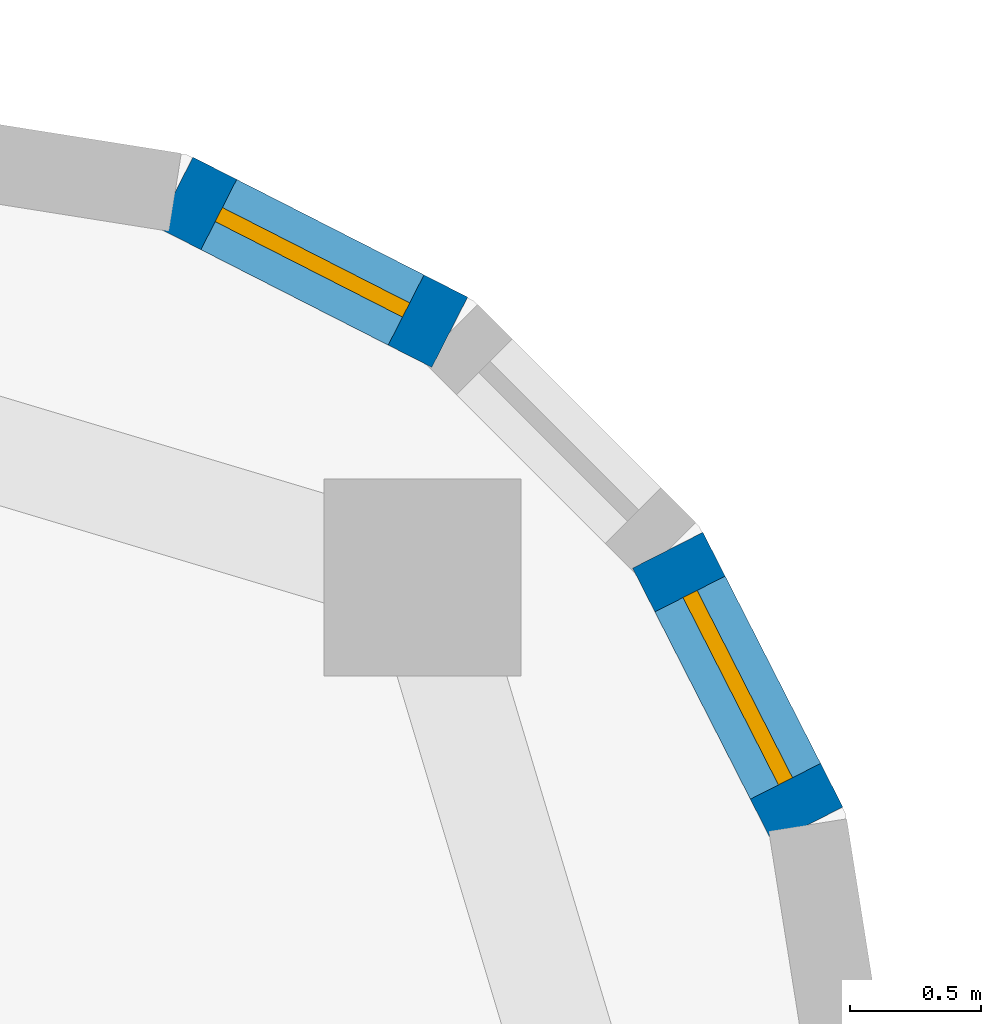
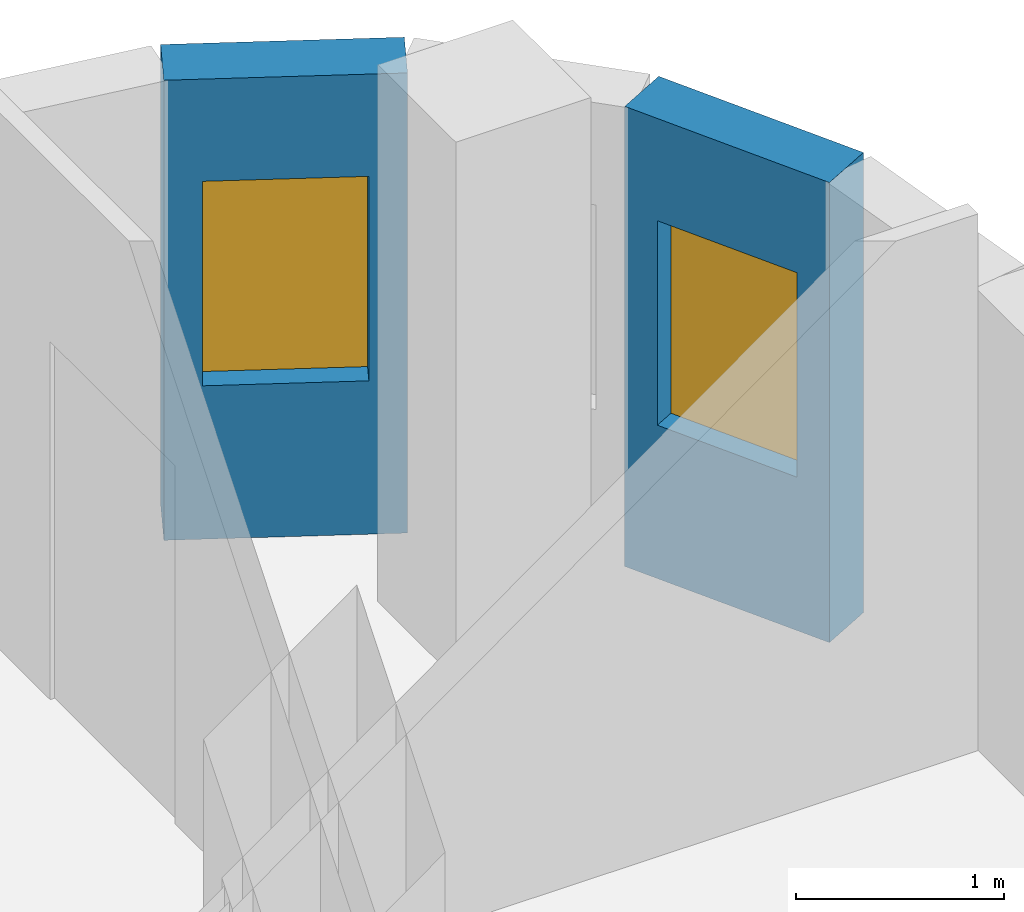
# One storey, part 9 of 13: 2 walls, 2 windows, 2 openings.
"""IFC4 building model written with IfcOpenShell, lengths in metres."""

from ifc_helpers import new_model, si_unit, direction, frame, frame_2d, origin, place, context, subcontext, project, spatial, rectangle, extrude, material, layer, layer_set, type_object, element, fill, save


model = new_model("IFC4")

# Units and contexts
model_context = context("Model", 3, precision=1e-05, world=origin(), true_north=direction((0.0, 1.0)))
body_context = subcontext(model_context, "Body", "Model", "MODEL_VIEW")
ifc_project = project(units=[si_unit("LENGTHUNIT", "METRE"), si_unit("AREAUNIT", "SQUARE_METRE"), si_unit("VOLUMEUNIT", "CUBIC_METRE"), si_unit("PLANEANGLEUNIT", "RADIAN"), si_unit("MASSUNIT", "GRAM", prefix="KILO")], contexts=[model_context])

# Site, building, storey
site_placement = place(None, origin())
site = spatial("IfcSite", under=ifc_project, at=site_placement, CompositionType="ELEMENT")
building_placement = place(site_placement, origin())
building = spatial("IfcBuilding", under=site, at=building_placement, Name="Ludao Terraces", CompositionType="ELEMENT")
storey_placement = place(building_placement, frame((0.0, 0.0, 158.800048828125)))
storey = spatial("IfcBuildingStorey", under=building, at=storey_placement, Name="L43", CompositionType="ELEMENT", Elevation=158.800048828125)

# Wall, opening, window
ifc_material_1 = material(Name="Granite cladding", Category="masonry")
ifc_layer_1 = layer(ifc_material_1, 0.0400390625, Category="stone")
ifc_material_2 = material(Name="Mineral wool")
ifc_layer_2 = layer(ifc_material_2, 0.06005859375)
ifc_material_3 = material(Name="Concrete C40", Category="concrete")
ifc_layer_3 = layer(ifc_material_3, 0.199951171875, Category="concrete")
ifc_layer_set_1 = layer_set([ifc_layer_1, ifc_layer_2, ifc_layer_3], Name="ENV Stone-clad wall 300")
wall_type = type_object("IfcWallType", Name="ENV Stone-clad wall 300", PredefinedType="SOLIDWALL", material=ifc_layer_set_1)
wall_1_placement = place(storey_placement, frame((104.16650390625, 81.7587890625, 0.0), z_axis=(0.0, 0.0, 1.0), x_axis=(-0.454025524128, 0.890988677504, 0.0)))
wall_1 = element("IfcWall", 1, at=wall_1_placement, inside=storey, type_object=wall_type, Name="EW-L43-NE2", PredefinedType="SOLIDWALL", context=body_context, shape_type="SweptSolid", body=[
    extrude(rectangle(XDim=1.17333984375, YDim=0.300048828125, at=frame_2d((0.586669921875, 0.0))), origin(), (0.0, 0.0, 1.0), 2.699951171875),
])
opening_1_placement = place(wall_1_placement, frame((0.1865234375, 0.0, 0.89990234375)))
opening_1 = element("IfcOpeningElement", 2, at=opening_1_placement, cuts=wall_1, Name="Opening W3", PredefinedType="OPENING", context=body_context, shape_type="SweptSolid", body=[
    extrude(rectangle(XDim=0.800048828125, YDim=1.199951171875, at=frame_2d((0.39990234375, 0.60009765625))), frame((0.0, 0.16015625, 0.0), z_axis=(0.0, -1.0, 0.0), x_axis=(1.0, 0.0, 0.0)), (0.0, 0.0, 1.0), 0.320068359375),
])
ifc_material_4 = material(Name="Clear glass in aluminium frame", Category="aluminium")
ifc_layer_4 = layer(ifc_material_4, 0.06005859375)
ifc_layer_set_2 = layer_set([ifc_layer_4], Name="ENV Window W3 800x1200")
window_type = type_object("IfcWindowType", Name="ENV Window W3 800x1200", PartitioningType="SINGLE_PANEL", PredefinedType="WINDOW", material=ifc_layer_set_2)
window_1_placement = place(opening_1_placement, origin())
window_1 = element("IfcWindow", 3, at=window_1_placement, inside=storey, type_object=window_type, Name="W-L43-NE2", OverallHeight=1.199951171875, OverallWidth=0.800048828125, PartitioningType="SINGLE_PANEL", PredefinedType="WINDOW", context=body_context, shape_type="SweptSolid", body=[
    extrude(rectangle(XDim=0.800048828125, YDim=1.199951171875, at=frame_2d((0.39990234375, 0.60009765625))), frame((0.0, 0.030029296875, 0.0), z_axis=(0.0, -1.0, 0.0), x_axis=(1.0, 0.0, 0.0)), (0.0, 0.0, 1.0), 0.06005859375),
])
fill(opening_1, window_1)

wall_2_placement = place(storey_placement, frame((102.80419921875, 83.6337890625, 0.0), z_axis=(0.0, 0.0, 1.0), x_axis=(-0.890988677504, 0.454025524128, 0.0)))
wall_2 = element("IfcWall", 4, at=wall_2_placement, inside=storey, type_object=wall_type, Name="EW-L43-NE4", PredefinedType="SOLIDWALL", context=body_context, shape_type="SweptSolid", body=[
    extrude(rectangle(XDim=1.17333984375, YDim=0.300048828125, at=frame_2d((0.586669921875, 0.0))), origin(), (0.0, 0.0, 1.0), 2.699951171875),
])
opening_2_placement = place(wall_2_placement, frame((0.1865234375, 0.0, 0.89990234375)))
opening_2 = element("IfcOpeningElement", 5, at=opening_2_placement, cuts=wall_2, Name="Opening W3", PredefinedType="OPENING", context=body_context, shape_type="SweptSolid", body=[
    extrude(rectangle(XDim=0.800048828125, YDim=1.199951171875, at=frame_2d((0.39990234375, 0.60009765625))), frame((0.0, 0.16015625, 0.0), z_axis=(0.0, -1.0, 0.0), x_axis=(1.0, 0.0, 0.0)), (0.0, 0.0, 1.0), 0.320068359375),
])
window_2_placement = place(opening_2_placement, origin())
window_2 = element("IfcWindow", 6, at=window_2_placement, inside=storey, type_object=window_type, Name="W-L43-NE4", OverallHeight=1.199951171875, OverallWidth=0.800048828125, PartitioningType="SINGLE_PANEL", PredefinedType="WINDOW", context=body_context, shape_type="SweptSolid", body=[
    extrude(rectangle(XDim=0.800048828125, YDim=1.199951171875, at=frame_2d((0.39990234375, 0.60009765625))), frame((0.0, 0.030029296875, 0.0), z_axis=(0.0, -1.0, 0.0), x_axis=(1.0, 0.0, 0.0)), (0.0, 0.0, 1.0), 0.06005859375),
])
fill(opening_2, window_2)

save(model, "model.ifc")
